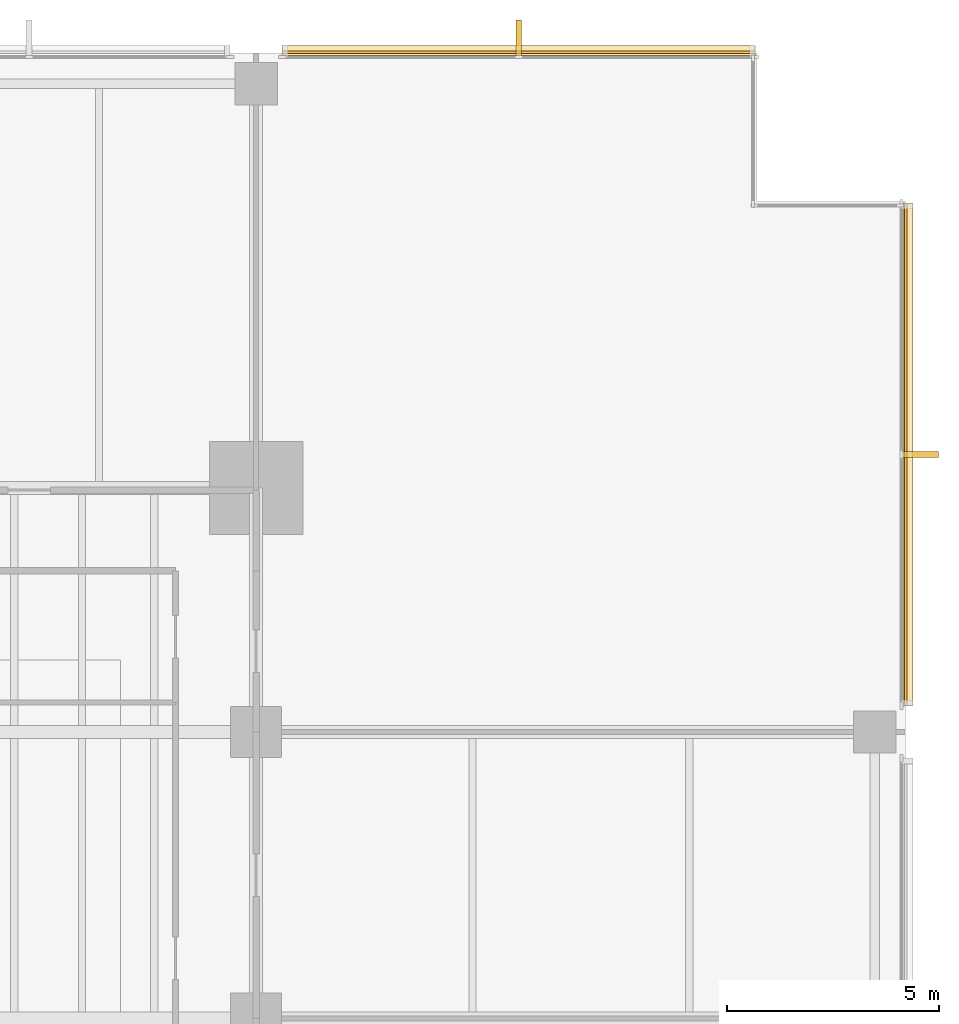
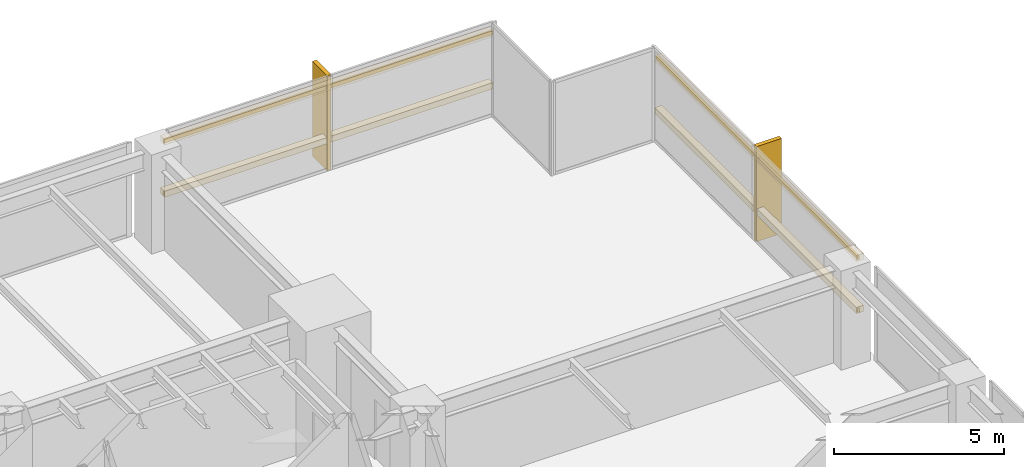
# One storey, part 16 of 16: 6 coverings, 4 shading devices.
"""IFC4 building model written with IfcOpenShell, lengths in metres."""

from ifc_helpers import new_model, si_unit, direction, frame, origin, origin_2d, place, context, subcontext, project, spatial, polyline, rectangle, outline, extrude, material, layer, layer_set, material_profile, profile_set, type_object, element, save


model = new_model("IFC4")

# Units and contexts
model_context = context("Model", 3, precision=1e-05, world=origin(), true_north=direction((0.0, 1.0)))
body_context = subcontext(model_context, "Body", "Model", "MODEL_VIEW")
ifc_project = project(units=[si_unit("LENGTHUNIT", "METRE"), si_unit("AREAUNIT", "SQUARE_METRE"), si_unit("VOLUMEUNIT", "CUBIC_METRE"), si_unit("PLANEANGLEUNIT", "RADIAN"), si_unit("MASSUNIT", "GRAM", prefix="KILO")], contexts=[model_context])

# Site, building, storey
site_placement = place(None, origin())
site = spatial("IfcSite", under=ifc_project, at=site_placement, CompositionType="ELEMENT")
building_placement = place(site_placement, origin())
building = spatial("IfcBuilding", under=site, at=building_placement, Name="Kinhvarn Gate Tower", CompositionType="ELEMENT")
storey_placement = place(building_placement, frame((0.0, 0.0, 25.60009765625)))
storey = spatial("IfcBuildingStorey", under=building, at=storey_placement, Name="L05", CompositionType="ELEMENT", Elevation=25.60009765625)

# Coverings
ifc_material = material(Name="Fired architectural terracotta", Category="masonry")
ifc_layer_1 = layer(ifc_material, 0.239990234375)
ifc_layer_set_1 = layer_set([ifc_layer_1], Name="Fired architectural terracotta")
covering_type_1 = type_object("IfcCoveringType", Name="COV-BAG-220", PredefinedType="CLADDING", material=ifc_layer_set_1)
for number, where, name in (
    (1, (0.0, 0.0, 0.93994140625), "Terracotta Horizontal Sunscreen Band TBG-220 (L05)"),
    (2, (0.0, 0.0, 2.809814453125), "Terracotta Horizontal Sunscreen Band TBG-220 (L05)"),
):
    element("IfcCovering", number, at=place(storey_placement, frame(where)), inside=storey, type_object=covering_type_1, Name=name, PredefinedType="CLADDING", context=body_context, shape_type="SweptSolid", body=[
        extrude(outline(polyline([(49.9599609375, 47.93994140625), (38.820068359375, 47.93994140625), (38.820068359375, 48.179931640625), (49.9599609375, 48.179931640625), (49.9599609375, 47.93994140625)])), origin(), (0.0, 0.0, 1.0), 0.219970703125),
    ])
for number, where, name in (
    (3, (0.0, 0.0, 0.93994140625), "Terracotta Horizontal Sunscreen Band TBG-220 (L05)"),
    (4, (0.0, 0.0, 2.809814453125), "Terracotta Horizontal Sunscreen Band TBG-220 (L05)"),
):
    element("IfcCovering", number, at=place(storey_placement, frame(where)), inside=storey, type_object=covering_type_1, Name=name, PredefinedType="CLADDING", context=body_context, shape_type="SweptSolid", body=[
        extrude(outline(polyline([(53.43994140625, 32.6201171875), (53.43994140625, 44.4599609375), (53.679931640625, 44.4599609375), (53.679931640625, 32.6201171875), (53.43994140625, 32.6201171875)])), origin(), (0.0, 0.0, 1.0), 0.219970703125),
    ])
ifc_layer_2 = layer(ifc_material, 0.139892578125)
ifc_layer_set_2 = layer_set([ifc_layer_2], Name="Fired architectural terracotta")
covering_type_2 = type_object("IfcCoveringType", Name="COV-FIN-850", PredefinedType="CLADDING", material=ifc_layer_set_2)
covering_1_placement = place(storey_placement, frame((0.0, 0.0, -0.02001953125)))
element("IfcCovering", 5, at=covering_1_placement, inside=storey, type_object=covering_type_2, Name="Vertical Terracotta Expressive Fin TFN-850 (L05)", PredefinedType="CLADDING", context=body_context, shape_type="SweptSolid", body=[
    extrude(outline(polyline([(44.4599609375, 47.929931640625), (44.320068359375, 47.929931640625), (44.320068359375, 48.780029296875), (44.4599609375, 48.780029296875), (44.4599609375, 47.929931640625)])), origin(), (0.0, 0.0, 1.0), 3.409912109375),
])
covering_2_placement = place(storey_placement, frame((0.0, 0.0, -0.02001953125)))
element("IfcCovering", 6, at=covering_2_placement, inside=storey, type_object=covering_type_2, Name="Vertical Terracotta Expressive Fin TFN-850 (L05)", PredefinedType="CLADDING", context=body_context, shape_type="SweptSolid", body=[
    extrude(outline(polyline([(53.429931640625, 38.469970703125), (53.429931640625, 38.610107421875), (54.280029296875, 38.610107421875), (54.280029296875, 38.469970703125), (53.429931640625, 38.469970703125)])), origin(), (0.0, 0.0, 1.0), 3.409912109375),
])

# Shading devices
ifc_material_profile = material_profile(ifc_material, rectangle(XDim=0.06005859375, YDim=0.139892578125, at=origin_2d()), Name="TC 60x140")
ifc_profile_set = profile_set([ifc_material_profile], Name="Fired architectural terracotta")
shading_device_type = type_object("IfcShadingDeviceType", Name="SHD-BAG-180", PredefinedType="USERDEFINED", material=ifc_profile_set)
for number, where, z_axis, x_axis, name in (
    (7, (49.9599609375, 48.014892578125, 1.0498046875), (-1.0, 0.0, 0.0), (0.0, -1.0, 0.0), "Fired Terracotta Baguette Screen Rod 60x140 mm (L05)"),
    (8, (49.9599609375, 48.014892578125, 2.919921875), (-1.0, 0.0, 0.0), (0.0, -1.0, 0.0), "Fired Terracotta Baguette Screen Rod 60x140 mm (L05)"),
):
    element("IfcShadingDevice", number, at=place(storey_placement, frame(where, z_axis=z_axis, x_axis=x_axis)), inside=storey, type_object=shading_device_type, Name=name, ObjectType="BAGUETTE", PredefinedType="USERDEFINED", context=body_context, shape_type="SweptSolid", body=[
        extrude(rectangle(XDim=0.06005859375, YDim=0.139892578125, at=origin_2d()), origin(), (0.0, 0.0, 1.0), 11.139892578125),
    ])
for number, where, z_axis, x_axis, name in (
    (9, (53.514892578125, 32.6201171875, 1.0498046875), (0.0, 1.0, 0.0), (-1.0, 0.0, 0.0), "Fired Terracotta Baguette Screen Rod 60x140 mm (L05)"),
    (10, (53.514892578125, 32.6201171875, 2.919921875), (0.0, 1.0, 0.0), (-1.0, 0.0, 0.0), "Fired Terracotta Baguette Screen Rod 60x140 mm (L05)"),
):
    element("IfcShadingDevice", number, at=place(storey_placement, frame(where, z_axis=z_axis, x_axis=x_axis)), inside=storey, type_object=shading_device_type, Name=name, ObjectType="BAGUETTE", PredefinedType="USERDEFINED", context=body_context, shape_type="SweptSolid", body=[
        extrude(rectangle(XDim=0.06005859375, YDim=0.139892578125, at=origin_2d()), origin(), (0.0, 0.0, 1.0), 11.83984375),
    ])

save(model, "model.ifc")
